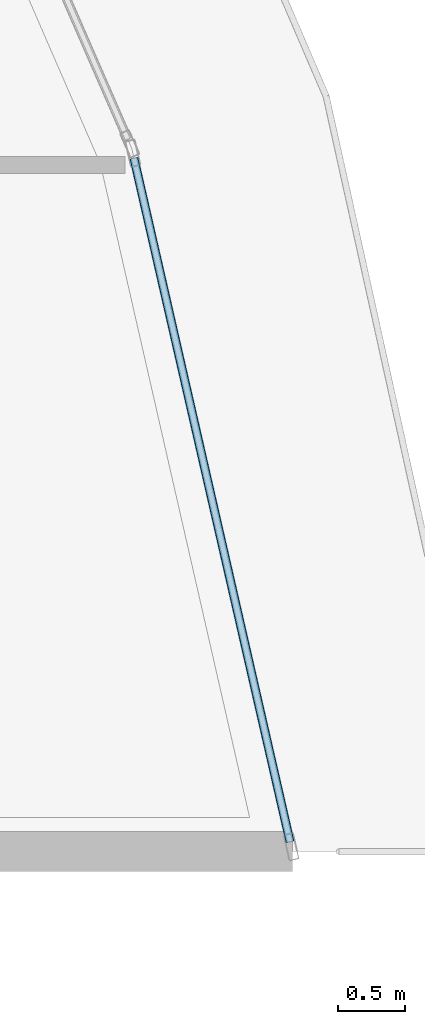
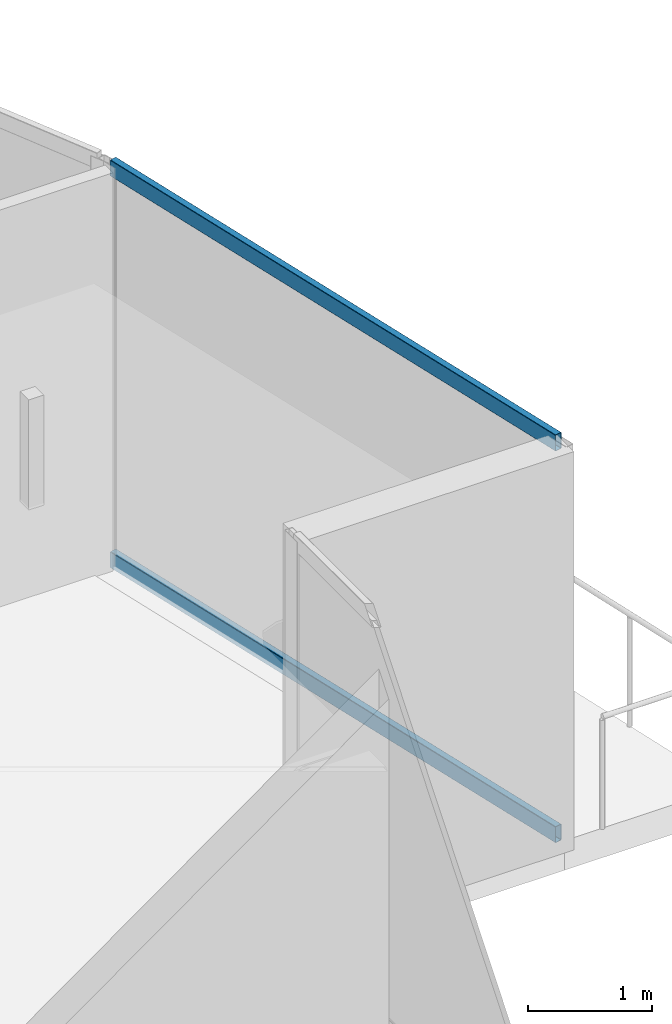
# One storey, part 14 of 34: 2 members, 1 element without a shape of its own.
"""IFC4 building model written with IfcOpenShell, lengths in metres."""

from ifc_helpers import new_model, si_unit, direction, frame, origin, origin_2d, place, context, subcontext, project, spatial, hollow_rectangle, extrude, material, layer, layer_set, material_profile, profile_set, type_object, element, aggregate, save


model = new_model("IFC4")

# Units and contexts
model_context = context("Model", 3, precision=1e-05, world=origin(), true_north=direction((0.0, 1.0)))
body_context = subcontext(model_context, "Body", "Model", "MODEL_VIEW")
ifc_project = project(units=[si_unit("LENGTHUNIT", "METRE"), si_unit("AREAUNIT", "SQUARE_METRE"), si_unit("VOLUMEUNIT", "CUBIC_METRE"), si_unit("PLANEANGLEUNIT", "RADIAN"), si_unit("MASSUNIT", "GRAM", prefix="KILO")], contexts=[model_context])

# Site, building, storey
site_placement = place(None, origin())
site = spatial("IfcSite", under=ifc_project, at=site_placement, CompositionType="ELEMENT")
building_placement = place(site_placement, origin())
building = spatial("IfcBuilding", under=site, at=building_placement, Name="Qorvath Tower", CompositionType="ELEMENT")
storey_placement = place(building_placement, frame((0.0, 0.0, 268.199951171875)))
storey = spatial("IfcBuildingStorey", under=building, at=storey_placement, Name="L62", CompositionType="ELEMENT", Elevation=268.199951171875)

# Curtain wall, members
ifc_material_1 = material(Name="Anodised aluminium and triple low-E glass", Category="aluminium")
ifc_layer = layer(ifc_material_1, 0.179931640625)
ifc_layer_set = layer_set([ifc_layer], Name="CW-SYS-4")
curtain_wall_type = type_object("IfcCurtainWallType", Name="CW-SYS-4", PredefinedType="NOTDEFINED", material=ifc_layer_set)
curtain_wall_placement = place(storey_placement, origin())
curtain_wall = element("IfcCurtainWall", 1, at=curtain_wall_placement, inside=storey, type_object=curtain_wall_type, Name="Curtain Wall CW-4 CW-T-L62-11.1", PredefinedType="NOTDEFINED")
ifc_material_2 = material(Name="Anodised aluminium 6063-T6", Category="aluminium")
ifc_material_profile = material_profile(ifc_material_2, hollow_rectangle(XDim=0.06494140625, YDim=0.159912109375, WallThickness=0.00341796875, InnerFilletRadius=0.00341796875, OuterFilletRadius=0.007080078125, at=origin_2d()), Name="CWT 160x65")
ifc_profile_set = profile_set([ifc_material_profile], Name="Anodised aluminium 6063-T6")
member_type = type_object("IfcMemberType", Name="CWT-160", PredefinedType="USERDEFINED", material=ifc_profile_set)
member_1_placement = place(storey_placement, frame((-2.028076171875, 3.864013671875, 0.032470703125), z_axis=(-0.222639621709, 0.974900814876, 0.0), x_axis=(-0.974900814876, -0.222639621709, 0.0)))
member_1 = element("IfcMember", 2, at=member_1_placement, type_object=member_type, Name="CW-4 transom 1.1", ObjectType="TRANSOM", PredefinedType="USERDEFINED", context=body_context, shape_type="SweptSolid", body=[
    extrude(hollow_rectangle(XDim=0.06494140625, YDim=0.159912109375, WallThickness=0.00341796875, InnerFilletRadius=0.00341796875, OuterFilletRadius=0.007080078125, at=origin_2d()), origin(), (0.0, 0.0, 1.0), 5.262451171875),
])
member_2_placement = place(storey_placement, frame((-2.028076171875, 3.864013671875, 3.877685546875), z_axis=(-0.222639621709, 0.974900814876, 0.0), x_axis=(-0.974900814876, -0.222639621709, 0.0)))
member_2 = element("IfcMember", 3, at=member_2_placement, type_object=member_type, Name="CW-4 transom 1.2", ObjectType="TRANSOM", PredefinedType="USERDEFINED", context=body_context, shape_type="SweptSolid", body=[
    extrude(hollow_rectangle(XDim=0.06494140625, YDim=0.159912109375, WallThickness=0.00341796875, InnerFilletRadius=0.00341796875, OuterFilletRadius=0.007080078125, at=origin_2d()), origin(), (0.0, 0.0, 1.0), 5.262451171875),
])
aggregate(curtain_wall, [member_1, member_2])

save(model, "model.ifc")
